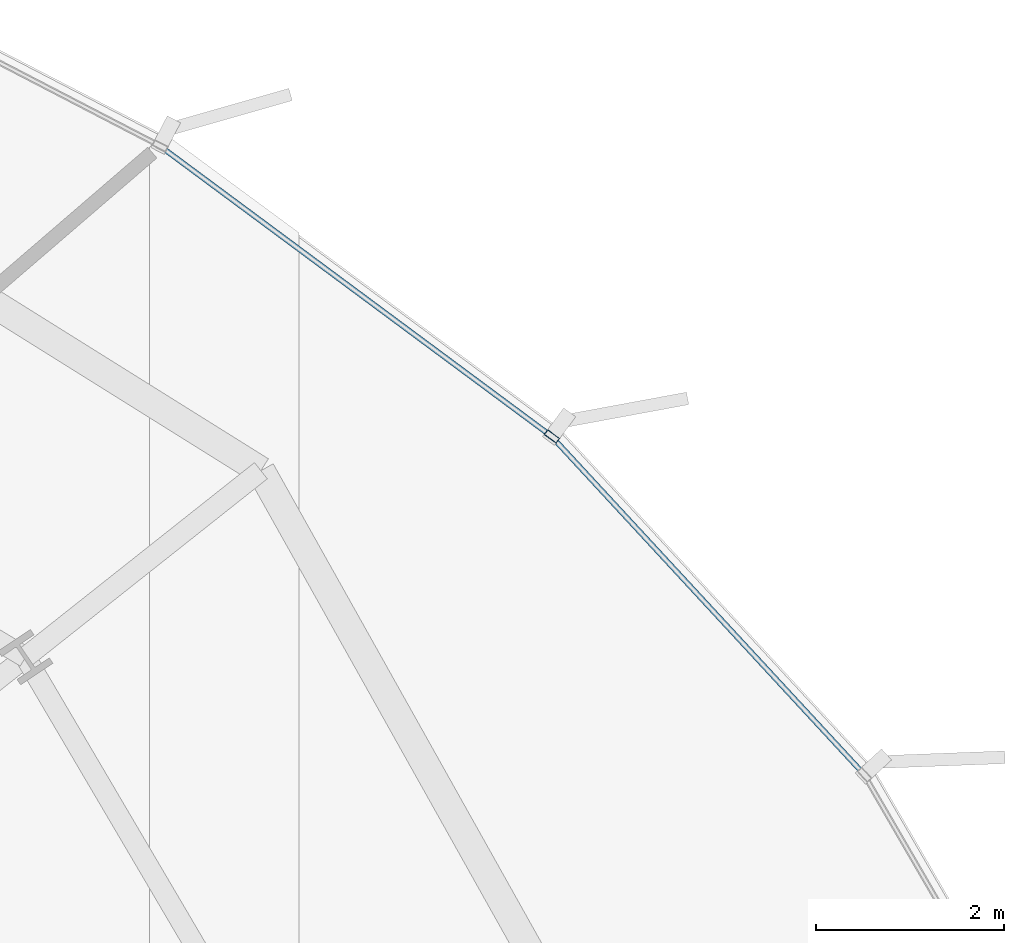
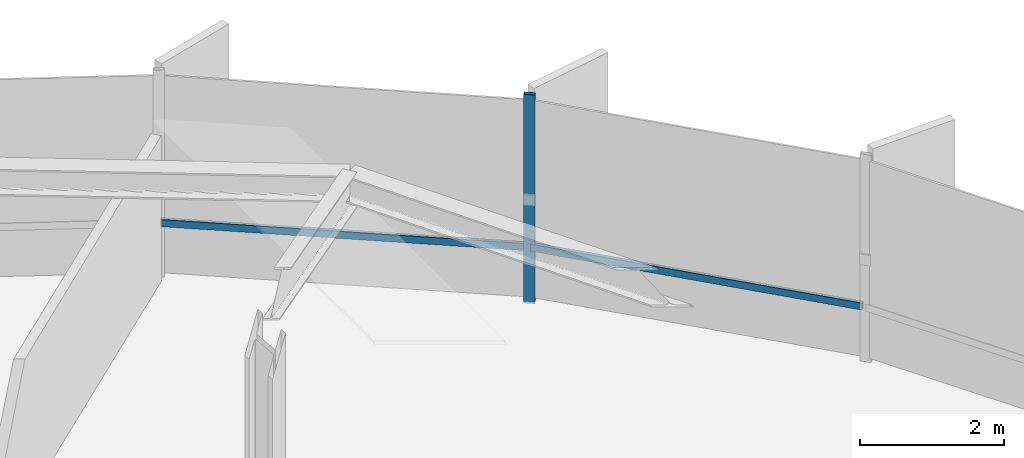
# One storey, part 26 of 38: 3 members, 1 element without a shape of its own.
"""IFC4 building model written with IfcOpenShell, lengths in metres."""

from ifc_helpers import new_model, si_unit, direction, frame, origin, origin_2d, place, context, subcontext, project, spatial, hollow_rectangle, extrude, source, transform, mapped, material, layer, layer_set, material_profile, profile_set, type_object, element, aggregate, save


model = new_model("IFC4")

# Units and contexts
model_context = context("Model", 3, precision=1e-05, world=origin(), true_north=direction((0.0, 1.0)))
body_context = subcontext(model_context, "Body", "Model", "MODEL_VIEW")
ifc_project = project(units=[si_unit("LENGTHUNIT", "METRE"), si_unit("AREAUNIT", "SQUARE_METRE"), si_unit("VOLUMEUNIT", "CUBIC_METRE"), si_unit("PLANEANGLEUNIT", "RADIAN"), si_unit("MASSUNIT", "GRAM", prefix="KILO"), si_unit("THERMODYNAMICTEMPERATUREUNIT", "KELVIN")], contexts=[model_context])

# Site, building, storey
site_placement = place(None, origin())
site = spatial("IfcSite", under=ifc_project, at=site_placement, CompositionType="ELEMENT")
building_placement = place(site_placement, origin())
building = spatial("IfcBuilding", under=site, at=building_placement, Name="Kethvar Cultural Tower", CompositionType="ELEMENT")
storey_placement = place(building_placement, frame((0.0, 0.0, 63.800048828125)))
storey = spatial("IfcBuildingStorey", under=building, at=storey_placement, Name="L15", CompositionType="ELEMENT", Elevation=63.800048828125)

# Curtain wall, members
ifc_material = material(Name="Aluminium 6063-T6", Category="aluminium")
ifc_layer = layer(ifc_material, 0.179931640625, Name="Aluminium 6063-T6", Category="aluminium")
ifc_layer_set = layer_set([ifc_layer], Name="Aluminium 6063-T6 (180 mm)")
curtain_wall_type = type_object("IfcCurtainWallType", Name="CW-SYS-02-Z1", PredefinedType="NOTDEFINED", material=ifc_layer_set)
curtain_wall_placement = place(storey_placement, origin())
curtain_wall = element("IfcCurtainWall", 1, at=curtain_wall_placement, inside=storey, type_object=curtain_wall_type, Name="L15 Curtain Wall Run 01", PredefinedType="NOTDEFINED")
ifc_material_profile_1 = material_profile(ifc_material, hollow_rectangle(XDim=0.06494140625, YDim=0.159912109375, WallThickness=0.0048828125, at=origin_2d()), Name="Aluminium 6063-T6 — RHS160x65x5")
ifc_profile_set_1 = profile_set([ifc_material_profile_1], Name="Aluminium 6063-T6 — RHS160x65x5")
member_type_1 = type_object("IfcMemberType", Name="CW-SYS-02-Z1-MUL", PredefinedType="MULLION", material=ifc_profile_set_1)
shared_shape_1 = source(origin(), body_context, "Body", "SweptSolid", [
    extrude(hollow_rectangle(XDim=0.06494140625, YDim=0.159912109375, WallThickness=0.0048828125, at=origin_2d()), origin(), (0.0, 0.0, 1.0), 3.550048828125),
])
member_1_placement = place(storey_placement, frame((73.9453125, 44.5419921875, 0.0), z_axis=(0.0, 0.0, 1.0), x_axis=(-0.595425906986, -0.803410224786, 0.0)))
member_1 = element("IfcMember", 2, at=member_1_placement, type_object=member_type_1, Name="CW-L15-R01 Mullion 4", PredefinedType="MULLION", context=body_context, shape_type="MappedRepresentation", body=[
    mapped(shared_shape_1, transform((0.0, 0.0, 0.0), scale=1.0)),
])
ifc_material_profile_2 = material_profile(ifc_material, hollow_rectangle(XDim=0.054931640625, YDim=0.1201171875, WallThickness=0.00390625, at=origin_2d()), Name="Aluminium 6063-T6 — RHS120x55x4")
ifc_profile_set_2 = profile_set([ifc_material_profile_2], Name="Aluminium 6063-T6 — RHS120x55x4")
member_type_2 = type_object("IfcMemberType", Name="CW-SYS-02-Z1-TRN", PredefinedType="USERDEFINED", material=ifc_profile_set_2)
shared_shape_2 = source(origin(), body_context, "Body", "SweptSolid", [
    extrude(hollow_rectangle(XDim=0.054931640625, YDim=0.1201171875, WallThickness=0.00390625, at=origin_2d()), origin(), (0.0, 0.0, 1.0), 4.837158203125),
])
member_2_placement = place(storey_placement, frame((77.2451171875, 40.971435546875, 0.949951171875), z_axis=(-0.67898622188, 0.734151013414, 0.0), x_axis=(-0.734151013414, -0.67898622188, 0.0)))
member_2 = element("IfcMember", 3, at=member_2_placement, type_object=member_type_2, Name="CW-L15-R01 Transom 3", ObjectType="TRANSOM", PredefinedType="USERDEFINED", context=body_context, shape_type="MappedRepresentation", body=[
    mapped(shared_shape_2, transform((0.0, 0.0, 0.0), scale=1.0)),
])
shared_shape_3 = source(origin(), body_context, "Body", "SweptSolid", [
    extrude(hollow_rectangle(XDim=0.054931640625, YDim=0.1201171875, WallThickness=0.00390625, at=origin_2d()), origin(), (0.0, 0.0, 1.0), 5.122802734375),
])
member_3_placement = place(storey_placement, frame((73.90771484375, 44.56982421875, 0.949951171875), z_axis=(-0.803406893143, 0.595430402357, 0.0), x_axis=(-0.595430402357, -0.803406893143, 0.0)))
member_3 = element("IfcMember", 4, at=member_3_placement, type_object=member_type_2, Name="CW-L15-R01 Transom 4", ObjectType="TRANSOM", PredefinedType="USERDEFINED", context=body_context, shape_type="MappedRepresentation", body=[
    mapped(shared_shape_3, transform((0.0, 0.0, 0.0), scale=1.0)),
])
aggregate(curtain_wall, [member_1, member_2, member_3])

save(model, "model.ifc")
